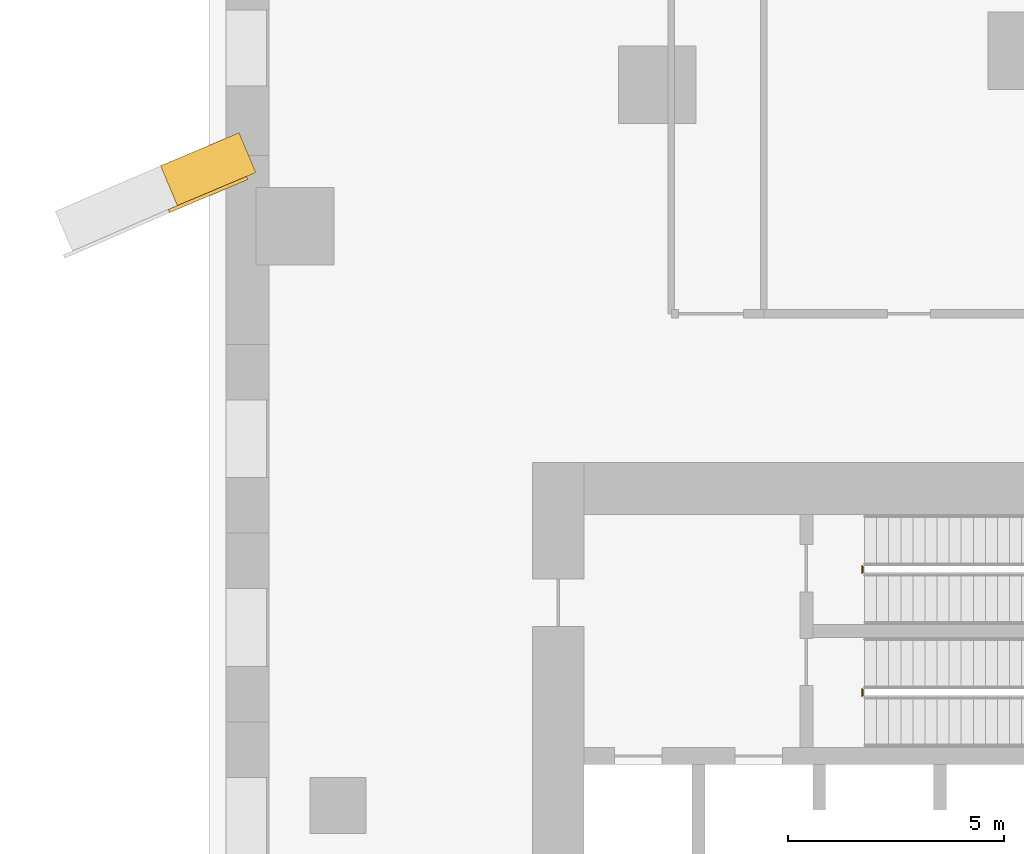
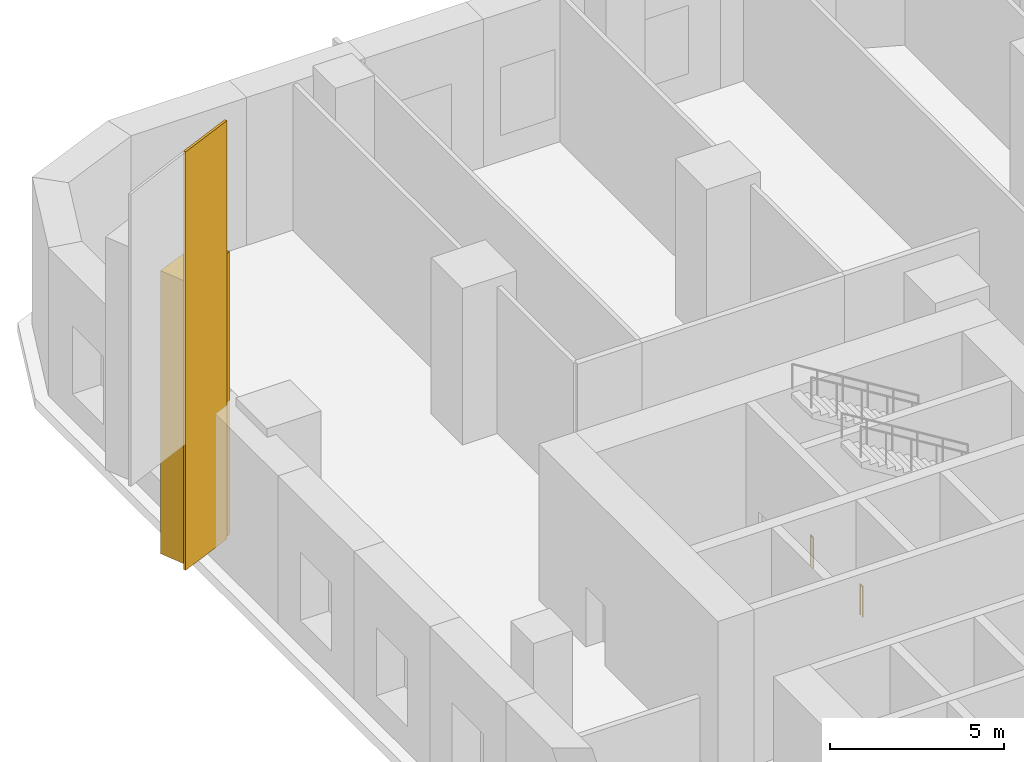
# One storey, part 10 of 13: 2 coverings, 2 railings.
"""IFC4 building model written with IfcOpenShell, lengths in metres."""

import ifcopenshell
import ifcopenshell.guid

model = None  # the IFC model being written
_history = None  # IfcOwnerHistory: only IFC2X3 demands one
_inside = {}  # id of a spatial element -> (the spatial element, [elements in it])
_under = {}  # id of a project, library or spatial element -> (it, [spatial elements below it])
_declared = {}  # id of a project -> (the project, [libraries it declares])
_typed = {}  # id of a type object -> (the type object, [elements of that type])
_made_of = {}  # id of a material, layer set ... -> (it, [elements and type objects made of it])


def new_model(schema):
    """Start an empty IFC model of exactly this schema.

    Asked for "IFC4X3", IfcOpenShell would pick the latest addendum, in which some entities
    have other attributes; the version numbers below select the first issue.
    IFC2X3 requires an IfcOwnerHistory on every rooted entity: one is made here for all.
    """
    global model, _history
    if schema == "IFC4X3":
        model = ifcopenshell.file(schema_version=(4, 3, 0, 0))
    else:
        model = ifcopenshell.file(schema=schema)
    _inside.clear()
    _under.clear()
    _declared.clear()
    _typed.clear()
    _made_of.clear()
    _history = None
    if model.schema == "IFC2X3":
        org = make("IfcOrganization", Name="unknown")
        user = make(
            "IfcPersonAndOrganization",
            ThePerson=make("IfcPerson", FamilyName="unknown"),
            TheOrganization=org,
        )
        app = make(
            "IfcApplication",
            ApplicationDeveloper=org,
            Version="unknown",
            ApplicationFullName="unknown",
            ApplicationIdentifier="unknown",
        )
        _history = make(
            "IfcOwnerHistory",
            OwningUser=user,
            OwningApplication=app,
            ChangeAction="ADDED",
            CreationDate=0,
        )
    return model


def make(cls, **values):
    """One entity of the class cls with the attributes given. An attribute that is None is left unset."""
    return model.create_entity(
        cls, **{name: value for name, value in values.items() if value is not None}
    )


def rooted(cls, **values):
    """An entity with a GlobalId (a new one), such as an element, a storey or a relation."""
    return make(cls, GlobalId=ifcopenshell.guid.new(), OwnerHistory=_history, **values)


def si_unit(unit_type, name, prefix=None):
    """IfcSIUnit, for example si_unit("LENGTHUNIT", "METRE", prefix="MILLI")."""
    return make("IfcSIUnit", UnitType=unit_type, Prefix=prefix, Name=name)


def assignment(units):
    """IfcUnitAssignment: the units of a project."""
    return None if units is None else make("IfcUnitAssignment", Units=units)


def point(xyz):
    """IfcCartesianPoint."""
    return None if xyz is None else make("IfcCartesianPoint", Coordinates=xyz)


def direction(xyz):
    """IfcDirection."""
    return None if xyz is None else make("IfcDirection", DirectionRatios=xyz)


def frame(location, z_axis=None, x_axis=None):
    """IfcAxis2Placement3D, a coordinate frame: its origin and axes. An axis left out is left unset."""
    return make(
        "IfcAxis2Placement3D",
        Location=point(location),
        Axis=direction(z_axis),
        RefDirection=direction(x_axis),
    )


def frame_2d(location, x_axis=None):
    """IfcAxis2Placement2D, a coordinate frame in the plane: its origin and x axis."""
    return make(
        "IfcAxis2Placement2D", Location=point(location), RefDirection=direction(x_axis)
    )


def origin():
    """The frame at (0, 0, 0) with its axes left unset."""
    return frame((0.0, 0.0, 0.0))


def origin_2d():
    """The frame at (0, 0) in the plane with its x axis left unset."""
    return frame_2d((0.0, 0.0))


def place(relative_to, where):
    """IfcLocalPlacement: puts the frame where relative to a parent placement (None: the world)."""
    return make(
        "IfcLocalPlacement", PlacementRelTo=relative_to, RelativePlacement=where
    )


def context(
    kind, dimensions, precision=None, world=None, true_north=None, identifier=None
):
    """IfcGeometricRepresentationContext, for example the 3D "Model" context."""
    return make(
        "IfcGeometricRepresentationContext",
        ContextIdentifier=identifier,
        ContextType=kind,
        CoordinateSpaceDimension=dimensions,
        Precision=precision,
        WorldCoordinateSystem=world,
        TrueNorth=true_north,
    )


def subcontext(parent, identifier, kind, view, scale=None):
    """IfcGeometricRepresentationSubContext, for example "Body" below "Model"."""
    return make(
        "IfcGeometricRepresentationSubContext",
        ContextIdentifier=identifier,
        ContextType=kind,
        ParentContext=parent,
        TargetScale=scale,
        TargetView=view,
    )


def project(units=None, contexts=None):
    """IfcProject with its units and contexts."""
    return rooted(
        "IfcProject",
        Name="project",
        RepresentationContexts=contexts,
        UnitsInContext=assignment(units),
    )


def spatial(cls, under=None, at=None, **own):
    """A site, building, storey or space (cls), placed at a placement, below another one or the project."""
    s = rooted(cls, ObjectPlacement=at, **own)
    if under is not None:
        _under.setdefault(under.id(), (under, []))[1].append(s)
    return s


def profile(cls, at=None, kind="AREA", **sizes):
    """A parametric profile (cls). Its sizes go by their IFC names, for example OverallWidth=200.0."""
    return make(cls, ProfileType=kind, Position=at, **sizes)


def rectangle(**sizes):
    """IfcRectangleProfileDef."""
    return profile("IfcRectangleProfileDef", **sizes)


def circle(**sizes):
    """IfcCircleProfileDef."""
    return profile("IfcCircleProfileDef", **sizes)


def extrude(swept, where, along, depth):
    """IfcExtrudedAreaSolid: the profile swept, set in the frame where, extruded along a direction by depth."""
    return make(
        "IfcExtrudedAreaSolid",
        SweptArea=swept,
        Position=where,
        ExtrudedDirection=direction(along),
        Depth=depth,
    )


def shape(context_of_items, identifier, shape_type, items):
    """IfcShapeRepresentation: the items that make up one representation, for example the "Body"."""
    return make(
        "IfcShapeRepresentation",
        ContextOfItems=context_of_items,
        RepresentationIdentifier=identifier,
        RepresentationType=shape_type,
        Items=items,
    )


def material(Name=None, Category=None):
    """IfcMaterial."""
    return make("IfcMaterial", Name=Name, Category=Category)


def layer(
    of_material, thickness, ventilated=None, Name=None, Category=None, Priority=None
):
    """IfcMaterialLayer: one layer of a wall or slab, of a material (None: an air gap)."""
    return make(
        "IfcMaterialLayer",
        Material=of_material,
        LayerThickness=thickness,
        IsVentilated=ventilated,
        Name=Name,
        Category=Category,
        Priority=Priority,
    )


def layer_set(layers, Name=None):
    """IfcMaterialLayerSet."""
    return make("IfcMaterialLayerSet", MaterialLayers=layers, LayerSetName=Name)


def made_of(thing, what):
    """Note that an element or type object is made of a material, layer set ...; save() writes the relation."""
    if what is not None:
        _made_of.setdefault(what.id(), (what, []))[1].append(thing)
    return thing


def type_object(cls, material=None, **own):
    """A type object (cls), such as IfcWallType, which elements share."""
    return made_of(rooted(cls, **own), material)


def element(
    cls,
    number,
    at=None,
    inside=None,
    cuts=None,
    type_object=None,
    material=None,
    context=None,
    identifier="Body",
    shape_type=None,
    held_by="IfcProductDefinitionShape",
    body=None,
    shapes=None,
    **own,
):
    """One element of the class cls, such as IfcWall. Its Tag is "e" and its number.

    at: its placement. inside: the storey or other place that contains it. cuts: it is an
    opening in that element (IfcRelVoidsElement). A single representation is given by context,
    identifier, shape_type and body (its items); several are given by shapes. held_by: the class
    of the entity that holds the representations. save() writes the other relations.
    """
    e = rooted(cls, Tag="e%d" % number, ObjectPlacement=at, **own)
    if body is not None:
        shapes = [shape(context, identifier, shape_type, body)]
    if shapes is not None:
        e.Representation = make(held_by, Representations=shapes)
    if inside is not None:
        _inside.setdefault(inside.id(), (inside, []))[1].append(e)
    if cuts is not None:
        rooted(
            "IfcRelVoidsElement", RelatingBuildingElement=cuts, RelatedOpeningElement=e
        )
    if type_object is not None:
        _typed.setdefault(type_object.id(), (type_object, []))[1].append(e)
    return made_of(e, material)


def aggregate(whole, parts):
    """IfcRelAggregates: a whole, such as a stair, and the parts it consists of."""
    return rooted("IfcRelAggregates", RelatingObject=whole, RelatedObjects=parts)


def save(model, path):
    """Write the relations noted so far, then the file.

    IfcRelAggregates (storeys below a building ...), IfcRelContainedInSpatialStructure (elements
    in a storey), IfcRelDefinesByType, IfcRelAssociatesMaterial and IfcRelDeclares: one each for
    every whole, place, type object, material and project.
    """
    for whole, parts in _under.values():
        aggregate(whole, parts)
    for where, things in _inside.values():
        rooted(
            "IfcRelContainedInSpatialStructure",
            RelatedElements=things,
            RelatingStructure=where,
        )
    for kind, things in _typed.values():
        rooted("IfcRelDefinesByType", RelatedObjects=things, RelatingType=kind)
    for what, things in _made_of.values():
        rooted("IfcRelAssociatesMaterial", RelatedObjects=things, RelatingMaterial=what)
    for by, libraries in _declared.values():
        rooted("IfcRelDeclares", RelatingContext=by, RelatedDefinitions=libraries)
    model.write(path)


model = new_model("IFC4")

# Units and contexts
model_context = context("Model", 3, precision=1e-05, world=origin(), true_north=direction((0.0, 1.0)))
body_context = subcontext(model_context, "Body", "Model", "MODEL_VIEW")
ifc_project = project(units=[si_unit("LENGTHUNIT", "METRE"), si_unit("AREAUNIT", "SQUARE_METRE"), si_unit("VOLUMEUNIT", "CUBIC_METRE"), si_unit("PLANEANGLEUNIT", "RADIAN"), si_unit("MASSUNIT", "GRAM", prefix="KILO")], contexts=[model_context])

# Site, building, storey
site_placement = place(None, origin())
site = spatial("IfcSite", under=ifc_project, at=site_placement, CompositionType="ELEMENT")
building_placement = place(site_placement, origin())
building = spatial("IfcBuilding", under=site, at=building_placement, Name="Ostrand Prow Hotel Tower", CompositionType="ELEMENT")
storey_placement = place(building_placement, frame((0.0, 0.0, 13.5)))
storey = spatial("IfcBuildingStorey", under=building, at=storey_placement, Name="L02", CompositionType="ELEMENT", Elevation=13.5)

# Coverings
ifc_material_1 = material(Name="Dark bronze anodised aluminium lining", Category="aluminium")
ifc_layer_1 = layer(ifc_material_1, 0.080078125)
ifc_layer_set_1 = layer_set([ifc_layer_1], Name="Dark bronze anodised aluminium lining")
covering_type_1 = type_object("IfcCoveringType", Name="Arch spandrel limestone cladding 80 mm", PredefinedType="CLADDING", material=ifc_layer_set_1)
covering_1_placement = place(storey_placement, frame((41.076904296875, 22.782958984375, 0.4853515625), z_axis=(0.0, 0.0, 1.0), x_axis=(0.921229866641, 0.389018679255, 0.0)))
element("IfcCovering", 1, at=covering_1_placement, inside=storey, type_object=covering_type_1, Name="Arch spandrel cladding N 13", PredefinedType="CLADDING", context=body_context, shape_type="SweptSolid", body=[
    extrude(rectangle(XDim=1.974365234375, YDim=0.080078125, at=frame_2d((0.9873046875, 0.0))), origin(), (0.0, 0.0, 1.0), 14.714599609375),
])
ifc_material_2 = material(Name="Limestone cladding", Category="masonry")
ifc_layer_2 = layer(ifc_material_2, 1.0)
ifc_layer_set_2 = layer_set([ifc_layer_2], Name="Limestone cladding")
covering_type_2 = type_object("IfcCoveringType", Name="Portal frame limestone 1000 mm", PredefinedType="CLADDING", material=ifc_layer_set_2)
covering_2_placement = place(storey_placement, frame((41.076904296875, 23.3701171875, 0.4853515625), z_axis=(0.0, 0.0, 1.0), x_axis=(0.921628389096, 0.388073591489, 0.0)))
element("IfcCovering", 2, at=covering_2_placement, inside=storey, type_object=covering_type_2, Name="Portal frame N 13", PredefinedType="CLADDING", context=body_context, shape_type="SweptSolid", body=[
    extrude(rectangle(XDim=1.9736328125, YDim=1.0, at=frame_2d((0.98681640625, 0.0))), origin(), (0.0, 0.0, 1.0), 9.954345703125),
])

# Railings
ifc_material_3 = material(Name="Painted steel", Category="steel")
railing_type = type_object("IfcRailingType", Name="Stair guard 1100", PredefinedType="GUARDRAIL", material=ifc_material_3)
railing_1_placement = place(storey_placement, frame((57.14990234375, 11.550048828125, 0.0)))
element("IfcRailing", 3, at=railing_1_placement, inside=storey, type_object=railing_type, Name="L02 ST1B stair guard 4", PredefinedType="GUARDRAIL", context=body_context, shape_type="SweptSolid", body=[
    extrude(circle(Radius=0.02392578125, at=origin_2d()), frame((0.0, 0.0, 1.076171875), z_axis=(0.0, 1.0, 0.0), x_axis=(-1.0, 0.0, 0.0)), (0.0, 0.0, 1.0), 0.14990234375),
    extrude(circle(Radius=0.02099609375, at=origin_2d()), origin(), (0.0, 0.0, 1.0), 1.052001953125),
    extrude(circle(Radius=0.02099609375, at=origin_2d()), frame((0.0, 0.14990234375, 0.0)), (0.0, 0.0, 1.0), 1.052001953125),
])
railing_2_placement = place(storey_placement, frame((57.14990234375, 14.39990234375, 0.0)))
element("IfcRailing", 4, at=railing_2_placement, inside=storey, type_object=railing_type, Name="L02 ST3B stair guard 4", PredefinedType="GUARDRAIL", context=body_context, shape_type="SweptSolid", body=[
    extrude(circle(Radius=0.02392578125, at=origin_2d()), frame((0.0, 0.0, 1.076171875), z_axis=(0.0, 1.0, 0.0), x_axis=(-1.0, 0.0, 0.0)), (0.0, 0.0, 1.0), 0.150146484375),
    extrude(circle(Radius=0.02099609375, at=origin_2d()), origin(), (0.0, 0.0, 1.0), 1.052001953125),
    extrude(circle(Radius=0.02099609375, at=origin_2d()), frame((0.0, 0.150146484375, 0.0)), (0.0, 0.0, 1.0), 1.052001953125),
])

save(model, "model.ifc")
